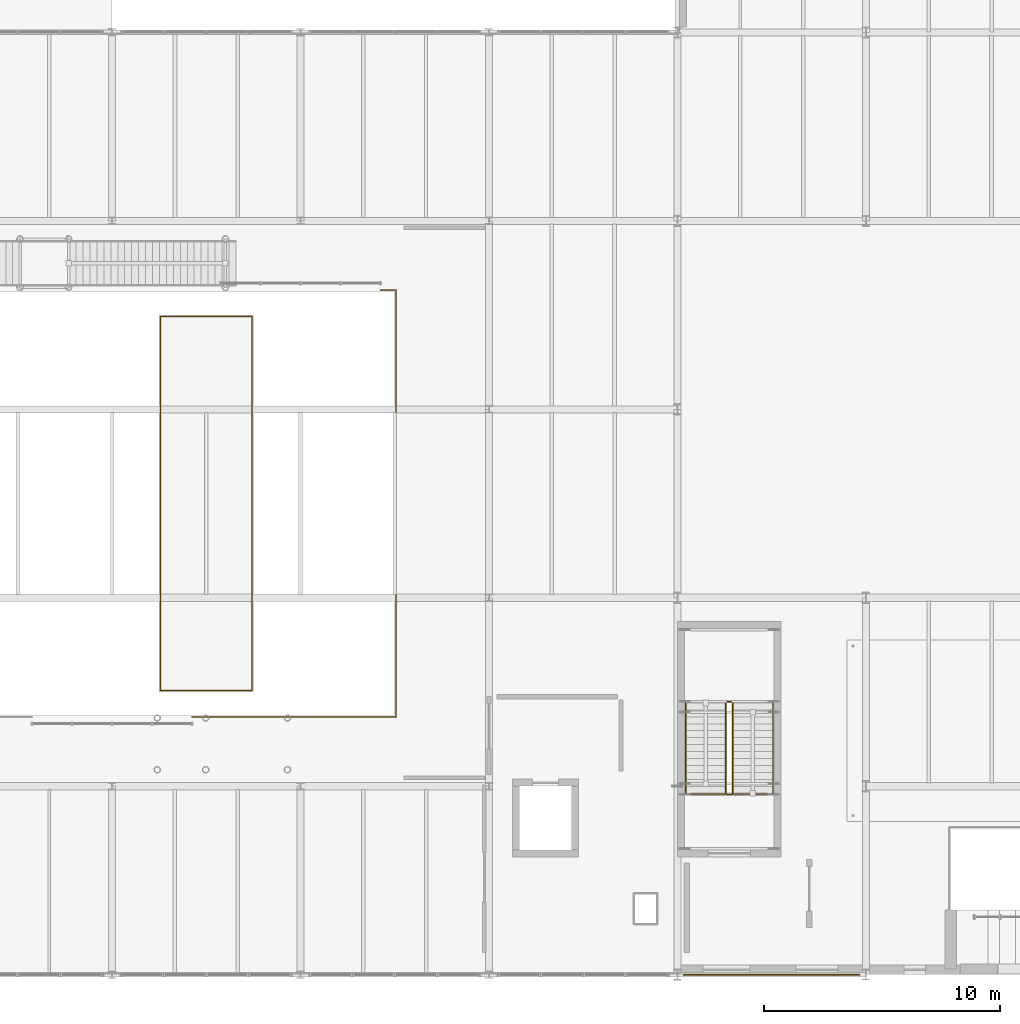
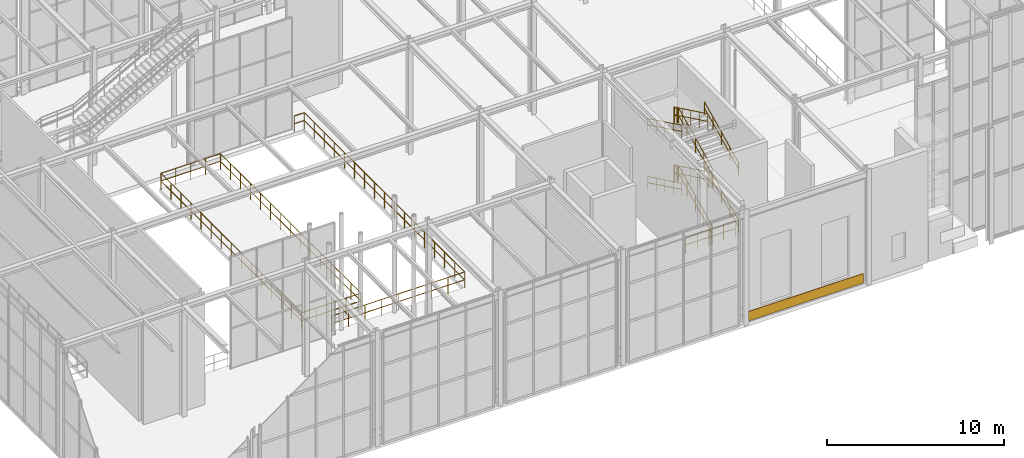
# One storey, part 128 of 138: 16 railings, 1 covering.
"""IFC4 building model written with IfcOpenShell, lengths in metres."""

from ifc_helpers import new_model, si_unit, direction, frame, origin, origin_2d, place, context, subcontext, project, spatial, rectangle, circle, extrude, material, layer, layer_set, type_object, element, save


model = new_model("IFC4")

# Units and contexts
model_context = context("Model", 3, precision=1e-05, world=origin(), true_north=direction((0.0, 1.0)))
body_context = subcontext(model_context, "Body", "Model", "MODEL_VIEW")
ifc_project = project(units=[si_unit("LENGTHUNIT", "METRE"), si_unit("AREAUNIT", "SQUARE_METRE"), si_unit("VOLUMEUNIT", "CUBIC_METRE"), si_unit("PLANEANGLEUNIT", "RADIAN"), si_unit("MASSUNIT", "GRAM", prefix="KILO")], contexts=[model_context])

# Site, building, storey
site_placement = place(None, origin())
site = spatial("IfcSite", under=ifc_project, at=site_placement, CompositionType="ELEMENT")
building_placement = place(site_placement, origin())
building = spatial("IfcBuilding", under=site, at=building_placement, Name="Sundkrona Museum", CompositionType="ELEMENT")
storey_placement = place(building_placement, frame((0.0, 0.0, 9.60009765625)))
storey = spatial("IfcBuildingStorey", under=building, at=storey_placement, Name="L02", CompositionType="ELEMENT", Elevation=9.60009765625)

# Covering
ifc_material_1 = material(Name="Frost-Resistant Vitrified Stoneware Mosaic Cladding", Category="masonry")
ifc_layer = layer(ifc_material_1, 0.044921875)
ifc_layer_set = layer_set([ifc_layer], Name="Frost-Resistant Vitrified Stoneware Mosaic Cladding")
covering_type = type_object("IfcCoveringType", Name="COV-CLD-MOS", PredefinedType="CLADDING", material=ifc_layer_set)
covering_placement = place(storey_placement, frame((124.0, 0.0, 0.094970703125), z_axis=(0.0, 0.0, 1.0), x_axis=(1.0, 0.0, 0.0)))
element("IfcCovering", 1, at=covering_placement, inside=storey, type_object=covering_type, Name="L02 Vitrified Stoneware Mosaic Spandrel 008", PredefinedType="CLADDING", context=body_context, shape_type="SweptSolid", body=[
    extrude(rectangle(XDim=7.49609375, YDim=0.044921875, at=origin_2d()), origin(), (0.0, 0.0, 1.0), 0.64990234375),
])

# Railings
ifc_material_2 = material(Name="Painted Steel S355J2 and Laminated Glass Balustrade", Category="steel")
railing_type_1 = type_object("IfcRailingType", Name="RL-GUARD-1100", PredefinedType="BALUSTRADE", material=ifc_material_2)
railing_1_placement = place(storey_placement, frame((122.35009765625, 7.699951171875, 0.142822265625)))
element("IfcRailing", 2, at=railing_1_placement, inside=storey, type_object=railing_type_1, Name="L02 ST-2 stair guard 1", PredefinedType="BALUSTRADE", context=body_context, shape_type="SweptSolid", body=[
    extrude(circle(Radius=0.02392578125, at=origin_2d()), frame((0.0, 0.0, 1.076171875), z_axis=(0.0, 0.900016444443, 0.435855939195), x_axis=(-1.0, 0.0, 0.0)), (0.0, 0.0, 1.0), 4.260986328125),
    extrude(circle(Radius=0.02392578125, at=origin_2d()), frame((0.0, 0.0, 0.550048828125), z_axis=(0.0, 0.900016444443, 0.435855939195), x_axis=(-1.0, 0.0, 0.0)), (0.0, 0.0, 1.0), 4.260986328125),
    extrude(circle(Radius=0.02099609375, at=origin_2d()), origin(), (0.0, 0.0, 1.0), 1.052001953125),
    extrude(circle(Radius=0.02099609375, at=origin_2d()), frame((0.0, 0.958740234375, 0.46435546875)), (0.0, 0.0, 1.0), 1.052001953125),
    extrude(circle(Radius=0.02099609375, at=origin_2d()), frame((0.0, 1.91748046875, 0.9287109375)), (0.0, 0.0, 1.0), 1.052001953125),
    extrude(circle(Radius=0.02099609375, at=origin_2d()), frame((0.0, 2.876220703125, 1.392822265625)), (0.0, 0.0, 1.0), 1.052001953125),
    extrude(circle(Radius=0.02099609375, at=origin_2d()), frame((0.0, 3.8349609375, 1.857177734375)), (0.0, 0.0, 1.0), 1.052001953125),
])
railing_2_placement = place(storey_placement, frame((122.300048828125, 11.5849609375, 2.0)))
element("IfcRailing", 3, at=railing_2_placement, inside=storey, type_object=railing_type_1, Name="L02 ST-2 stair guard 2", PredefinedType="BALUSTRADE", context=body_context, shape_type="SweptSolid", body=[
    extrude(circle(Radius=0.02392578125, at=origin_2d()), frame((0.0, 0.0, 1.076171875), z_axis=(-1.0, 0.0, 0.0), x_axis=(0.0, -1.0, 0.0)), (0.0, 0.0, 1.0), 0.199951171875),
    extrude(circle(Radius=0.02392578125, at=origin_2d()), frame((0.0, 0.0, 0.550048828125), z_axis=(-1.0, 0.0, 0.0), x_axis=(0.0, -1.0, 0.0)), (0.0, 0.0, 1.0), 0.199951171875),
    extrude(circle(Radius=0.02099609375, at=origin_2d()), origin(), (0.0, 0.0, 1.0), 1.052001953125),
    extrude(circle(Radius=0.02099609375, at=origin_2d()), frame((-0.199951171875, 0.0, 0.0)), (0.0, 0.0, 1.0), 1.052001953125),
])
railing_3_placement = place(storey_placement, frame((122.050048828125, 11.534912109375, 2.142822265625)))
element("IfcRailing", 4, at=railing_3_placement, inside=storey, type_object=railing_type_1, Name="L02 ST-2 stair guard 3", PredefinedType="BALUSTRADE", context=body_context, shape_type="SweptSolid", body=[
    extrude(circle(Radius=0.02392578125, at=origin_2d()), frame((0.0, 0.0, 1.076171875), z_axis=(0.0, -0.900016444443, 0.435855939195), x_axis=(1.0, 0.0, 0.0)), (0.0, 0.0, 1.0), 4.260986328125),
    extrude(circle(Radius=0.02392578125, at=origin_2d()), frame((0.0, 0.0, 0.550048828125), z_axis=(0.0, -0.900016444443, 0.435855939195), x_axis=(1.0, 0.0, 0.0)), (0.0, 0.0, 1.0), 4.260986328125),
    extrude(circle(Radius=0.02099609375, at=origin_2d()), origin(), (0.0, 0.0, 1.0), 1.052001953125),
    extrude(circle(Radius=0.02099609375, at=origin_2d()), frame((0.0, -0.958740234375, 0.46435546875)), (0.0, 0.0, 1.0), 1.052001953125),
    extrude(circle(Radius=0.02099609375, at=origin_2d()), frame((0.0, -1.91748046875, 0.9287109375)), (0.0, 0.0, 1.0), 1.052001953125),
    extrude(circle(Radius=0.02099609375, at=origin_2d()), frame((0.0, -2.876220703125, 1.392822265625)), (0.0, 0.0, 1.0), 1.052001953125),
    extrude(circle(Radius=0.02099609375, at=origin_2d()), frame((0.0, -3.8349609375, 1.857177734375)), (0.0, 0.0, 1.0), 1.052001953125),
])
railing_4_placement = place(storey_placement, frame((122.300048828125, 7.64990234375, 4.0)))
element("IfcRailing", 5, at=railing_4_placement, inside=storey, type_object=railing_type_1, Name="L02 ST-2 stair guard 4", PredefinedType="BALUSTRADE", context=body_context, shape_type="SweptSolid", body=[
    extrude(circle(Radius=0.02392578125, at=origin_2d()), frame((0.0, 0.0, 1.076171875), z_axis=(-1.0, 0.0, 0.0), x_axis=(0.0, -1.0, 0.0)), (0.0, 0.0, 1.0), 0.199951171875),
    extrude(circle(Radius=0.02392578125, at=origin_2d()), frame((0.0, 0.0, 0.550048828125), z_axis=(-1.0, 0.0, 0.0), x_axis=(0.0, -1.0, 0.0)), (0.0, 0.0, 1.0), 0.199951171875),
    extrude(circle(Radius=0.02099609375, at=origin_2d()), origin(), (0.0, 0.0, 1.0), 1.052001953125),
    extrude(circle(Radius=0.02099609375, at=origin_2d()), frame((-0.199951171875, 0.0, 0.0)), (0.0, 0.0, 1.0), 1.052001953125),
])
railing_5_placement = place(storey_placement, frame((122.35009765625, 7.699951171875, 4.142822265625)))
element("IfcRailing", 6, at=railing_5_placement, inside=storey, type_object=railing_type_1, Name="L02 ST-2 stair guard 5", PredefinedType="BALUSTRADE", context=body_context, shape_type="SweptSolid", body=[
    extrude(circle(Radius=0.02392578125, at=origin_2d()), frame((0.0, 0.0, 1.076171875), z_axis=(0.0, 0.900016444443, 0.435855939195), x_axis=(-1.0, 0.0, 0.0)), (0.0, 0.0, 1.0), 4.260986328125),
    extrude(circle(Radius=0.02392578125, at=origin_2d()), frame((0.0, 0.0, 0.550048828125), z_axis=(0.0, 0.900016444443, 0.435855939195), x_axis=(-1.0, 0.0, 0.0)), (0.0, 0.0, 1.0), 4.260986328125),
    extrude(circle(Radius=0.02099609375, at=origin_2d()), origin(), (0.0, 0.0, 1.0), 1.052001953125),
    extrude(circle(Radius=0.02099609375, at=origin_2d()), frame((0.0, 0.958740234375, 0.46435546875)), (0.0, 0.0, 1.0), 1.052001953125),
    extrude(circle(Radius=0.02099609375, at=origin_2d()), frame((0.0, 1.91748046875, 0.9287109375)), (0.0, 0.0, 1.0), 1.052001953125),
    extrude(circle(Radius=0.02099609375, at=origin_2d()), frame((0.0, 2.876220703125, 1.392822265625)), (0.0, 0.0, 1.0), 1.052001953125),
    extrude(circle(Radius=0.02099609375, at=origin_2d()), frame((0.0, 3.8349609375, 1.857177734375)), (0.0, 0.0, 1.0), 1.052001953125),
])
railing_6_placement = place(storey_placement, frame((122.300048828125, 11.5849609375, 6.0)))
element("IfcRailing", 7, at=railing_6_placement, inside=storey, type_object=railing_type_1, Name="L02 ST-2 stair guard 6", PredefinedType="BALUSTRADE", context=body_context, shape_type="SweptSolid", body=[
    extrude(circle(Radius=0.02392578125, at=origin_2d()), frame((0.0, 0.0, 1.076171875), z_axis=(-1.0, 0.0, 0.0), x_axis=(0.0, -1.0, 0.0)), (0.0, 0.0, 1.0), 0.199951171875),
    extrude(circle(Radius=0.02392578125, at=origin_2d()), frame((0.0, 0.0, 0.550048828125), z_axis=(-1.0, 0.0, 0.0), x_axis=(0.0, -1.0, 0.0)), (0.0, 0.0, 1.0), 0.199951171875),
    extrude(circle(Radius=0.02099609375, at=origin_2d()), origin(), (0.0, 0.0, 1.0), 1.052001953125),
    extrude(circle(Radius=0.02099609375, at=origin_2d()), frame((-0.199951171875, 0.0, 0.0)), (0.0, 0.0, 1.0), 1.052001953125),
])
railing_7_placement = place(storey_placement, frame((122.050048828125, 11.534912109375, 6.142822265625)))
element("IfcRailing", 8, at=railing_7_placement, inside=storey, type_object=railing_type_1, Name="L02 ST-2 stair guard 7", PredefinedType="BALUSTRADE", context=body_context, shape_type="SweptSolid", body=[
    extrude(circle(Radius=0.02392578125, at=origin_2d()), frame((0.0, 0.0, 1.076171875), z_axis=(0.0, -0.900016444443, 0.435855939195), x_axis=(1.0, 0.0, 0.0)), (0.0, 0.0, 1.0), 4.260986328125),
    extrude(circle(Radius=0.02392578125, at=origin_2d()), frame((0.0, 0.0, 0.550048828125), z_axis=(0.0, -0.900016444443, 0.435855939195), x_axis=(1.0, 0.0, 0.0)), (0.0, 0.0, 1.0), 4.260986328125),
    extrude(circle(Radius=0.02099609375, at=origin_2d()), origin(), (0.0, 0.0, 1.0), 1.052001953125),
    extrude(circle(Radius=0.02099609375, at=origin_2d()), frame((0.0, -0.958740234375, 0.46435546875)), (0.0, 0.0, 1.0), 1.052001953125),
    extrude(circle(Radius=0.02099609375, at=origin_2d()), frame((0.0, -1.91748046875, 0.9287109375)), (0.0, 0.0, 1.0), 1.052001953125),
    extrude(circle(Radius=0.02099609375, at=origin_2d()), frame((0.0, -2.876220703125, 1.392822265625)), (0.0, 0.0, 1.0), 1.052001953125),
    extrude(circle(Radius=0.02099609375, at=origin_2d()), frame((0.0, -3.8349609375, 1.857177734375)), (0.0, 0.0, 1.0), 1.052001953125),
])
railing_8_placement = place(storey_placement, frame((122.300048828125, 7.64990234375, 0.0)))
element("IfcRailing", 9, at=railing_8_placement, inside=storey, type_object=railing_type_1, Name="L02 ST-2 stair guard 8", PredefinedType="BALUSTRADE", context=body_context, shape_type="SweptSolid", body=[
    extrude(circle(Radius=0.02392578125, at=origin_2d()), frame((0.0, 0.0, 1.076171875), z_axis=(-1.0, 0.0, 0.0), x_axis=(0.0, -1.0, 0.0)), (0.0, 0.0, 1.0), 0.199951171875),
    extrude(circle(Radius=0.02392578125, at=origin_2d()), frame((0.0, 0.0, 0.550048828125), z_axis=(-1.0, 0.0, 0.0), x_axis=(0.0, -1.0, 0.0)), (0.0, 0.0, 1.0), 0.199951171875),
    extrude(circle(Radius=0.02099609375, at=origin_2d()), origin(), (0.0, 0.0, 1.0), 1.052001953125),
    extrude(circle(Radius=0.02099609375, at=origin_2d()), frame((-0.199951171875, 0.0, 0.0)), (0.0, 0.0, 1.0), 1.052001953125),
])
railing_9_placement = place(storey_placement, frame((101.93994140625, 12.06005859375, 0.0)))
element("IfcRailing", 10, at=railing_9_placement, inside=storey, type_object=railing_type_1, Name="L02 Edge Protection Balustrade 032", PredefinedType="BALUSTRADE", context=body_context, shape_type="SweptSolid", body=[
    extrude(circle(Radius=0.02392578125, at=origin_2d()), frame((0.0, 0.0, 1.09619140625), z_axis=(-1.0, 0.0, 0.0), x_axis=(0.0, -1.0, 0.0)), (0.0, 0.0, 1.0), 3.8798828125),
    extrude(circle(Radius=0.02392578125, at=origin_2d()), frame((0.0, 0.0, 0.56005859375), z_axis=(-1.0, 0.0, 0.0), x_axis=(0.0, -1.0, 0.0)), (0.0, 0.0, 1.0), 3.8798828125),
    extrude(circle(Radius=0.02392578125, at=origin_2d()), frame((-3.8798828125, 0.0, 1.09619140625), z_axis=(0.0, 1.0, 0.0), x_axis=(-1.0, 0.0, 0.0)), (0.0, 0.0, 1.0), 15.8798828125),
    extrude(circle(Radius=0.02392578125, at=origin_2d()), frame((-3.8798828125, 0.0, 0.56005859375), z_axis=(0.0, 1.0, 0.0), x_axis=(-1.0, 0.0, 0.0)), (0.0, 0.0, 1.0), 15.8798828125),
    extrude(circle(Radius=0.02392578125, at=origin_2d()), frame((-3.8798828125, 15.8798828125, 1.09619140625), z_axis=(1.0, 0.0, 0.0), x_axis=(0.0, 1.0, 0.0)), (0.0, 0.0, 1.0), 3.8798828125),
    extrude(circle(Radius=0.02392578125, at=origin_2d()), frame((-3.8798828125, 15.8798828125, 0.56005859375), z_axis=(1.0, 0.0, 0.0), x_axis=(0.0, 1.0, 0.0)), (0.0, 0.0, 1.0), 3.8798828125),
    extrude(circle(Radius=0.02392578125, at=origin_2d()), frame((0.0, 15.8798828125, 1.09619140625), z_axis=(0.0, -1.0, 0.0), x_axis=(1.0, 0.0, 0.0)), (0.0, 0.0, 1.0), 15.8798828125),
    extrude(circle(Radius=0.02392578125, at=origin_2d()), frame((0.0, 15.8798828125, 0.56005859375), z_axis=(0.0, -1.0, 0.0), x_axis=(1.0, 0.0, 0.0)), (0.0, 0.0, 1.0), 15.8798828125),
    extrude(circle(Radius=0.02099609375, at=origin_2d()), origin(), (0.0, 0.0, 1.0), 1.072021484375),
    extrude(circle(Radius=0.02099609375, at=origin_2d()), frame((-0.969970703125, 0.0, 0.0)), (0.0, 0.0, 1.0), 1.072021484375),
    extrude(circle(Radius=0.02099609375, at=origin_2d()), frame((-1.93994140625, 0.0, 0.0)), (0.0, 0.0, 1.0), 1.072021484375),
    extrude(circle(Radius=0.02099609375, at=origin_2d()), frame((-2.909912109375, 0.0, 0.0)), (0.0, 0.0, 1.0), 1.072021484375),
    extrude(circle(Radius=0.02099609375, at=origin_2d()), frame((-3.8798828125, 0.0, 0.0)), (0.0, 0.0, 1.0), 1.072021484375),
    extrude(circle(Radius=0.02099609375, at=origin_2d()), frame((-3.8798828125, 1.13427734375, 0.0)), (0.0, 0.0, 1.0), 1.072021484375),
    extrude(circle(Radius=0.02099609375, at=origin_2d()), frame((-3.8798828125, 2.2685546875, 0.0)), (0.0, 0.0, 1.0), 1.072021484375),
    extrude(circle(Radius=0.02099609375, at=origin_2d()), frame((-3.8798828125, 3.40283203125, 0.0)), (0.0, 0.0, 1.0), 1.072021484375),
    extrude(circle(Radius=0.02099609375, at=origin_2d()), frame((-3.8798828125, 4.537109375, 0.0)), (0.0, 0.0, 1.0), 1.072021484375),
    extrude(circle(Radius=0.02099609375, at=origin_2d()), frame((-3.8798828125, 5.67138671875, 0.0)), (0.0, 0.0, 1.0), 1.072021484375),
    extrude(circle(Radius=0.02099609375, at=origin_2d()), frame((-3.8798828125, 6.8056640625, 0.0)), (0.0, 0.0, 1.0), 1.072021484375),
    extrude(circle(Radius=0.02099609375, at=origin_2d()), frame((-3.8798828125, 7.93994140625, 0.0)), (0.0, 0.0, 1.0), 1.072021484375),
    extrude(circle(Radius=0.02099609375, at=origin_2d()), frame((-3.8798828125, 9.07421875, 0.0)), (0.0, 0.0, 1.0), 1.072021484375),
    extrude(circle(Radius=0.02099609375, at=origin_2d()), frame((-3.8798828125, 10.20849609375, 0.0)), (0.0, 0.0, 1.0), 1.072021484375),
    extrude(circle(Radius=0.02099609375, at=origin_2d()), frame((-3.8798828125, 11.3427734375, 0.0)), (0.0, 0.0, 1.0), 1.072021484375),
    extrude(circle(Radius=0.02099609375, at=origin_2d()), frame((-3.8798828125, 12.47705078125, 0.0)), (0.0, 0.0, 1.0), 1.072021484375),
    extrude(circle(Radius=0.02099609375, at=origin_2d()), frame((-3.8798828125, 13.611328125, 0.0)), (0.0, 0.0, 1.0), 1.072021484375),
    extrude(circle(Radius=0.02099609375, at=origin_2d()), frame((-3.8798828125, 14.74560546875, 0.0)), (0.0, 0.0, 1.0), 1.072021484375),
    extrude(circle(Radius=0.02099609375, at=origin_2d()), frame((-3.8798828125, 15.8798828125, 0.0)), (0.0, 0.0, 1.0), 1.072021484375),
    extrude(circle(Radius=0.02099609375, at=origin_2d()), frame((-2.909912109375, 15.8798828125, 0.0)), (0.0, 0.0, 1.0), 1.072021484375),
    extrude(circle(Radius=0.02099609375, at=origin_2d()), frame((-1.93994140625, 15.8798828125, 0.0)), (0.0, 0.0, 1.0), 1.072021484375),
    extrude(circle(Radius=0.02099609375, at=origin_2d()), frame((-0.969970703125, 15.8798828125, 0.0)), (0.0, 0.0, 1.0), 1.072021484375),
    extrude(circle(Radius=0.02099609375, at=origin_2d()), frame((0.0, 15.8798828125, 0.0)), (0.0, 0.0, 1.0), 1.072021484375),
    extrude(circle(Radius=0.02099609375, at=origin_2d()), frame((0.0, 14.74560546875, 0.0)), (0.0, 0.0, 1.0), 1.072021484375),
    extrude(circle(Radius=0.02099609375, at=origin_2d()), frame((0.0, 13.611328125, 0.0)), (0.0, 0.0, 1.0), 1.072021484375),
    extrude(circle(Radius=0.02099609375, at=origin_2d()), frame((0.0, 12.47705078125, 0.0)), (0.0, 0.0, 1.0), 1.072021484375),
    extrude(circle(Radius=0.02099609375, at=origin_2d()), frame((0.0, 11.3427734375, 0.0)), (0.0, 0.0, 1.0), 1.072021484375),
    extrude(circle(Radius=0.02099609375, at=origin_2d()), frame((0.0, 10.20849609375, 0.0)), (0.0, 0.0, 1.0), 1.072021484375),
    extrude(circle(Radius=0.02099609375, at=origin_2d()), frame((0.0, 9.07421875, 0.0)), (0.0, 0.0, 1.0), 1.072021484375),
    extrude(circle(Radius=0.02099609375, at=origin_2d()), frame((0.0, 7.93994140625, 0.0)), (0.0, 0.0, 1.0), 1.072021484375),
    extrude(circle(Radius=0.02099609375, at=origin_2d()), frame((0.0, 6.8056640625, 0.0)), (0.0, 0.0, 1.0), 1.072021484375),
    extrude(circle(Radius=0.02099609375, at=origin_2d()), frame((0.0, 5.67138671875, 0.0)), (0.0, 0.0, 1.0), 1.072021484375),
    extrude(circle(Radius=0.02099609375, at=origin_2d()), frame((0.0, 4.537109375, 0.0)), (0.0, 0.0, 1.0), 1.072021484375),
    extrude(circle(Radius=0.02099609375, at=origin_2d()), frame((0.0, 3.40283203125, 0.0)), (0.0, 0.0, 1.0), 1.072021484375),
    extrude(circle(Radius=0.02099609375, at=origin_2d()), frame((0.0, 2.2685546875, 0.0)), (0.0, 0.0, 1.0), 1.072021484375),
    extrude(circle(Radius=0.02099609375, at=origin_2d()), frame((0.0, 1.13427734375, 0.0)), (0.0, 0.0, 1.0), 1.072021484375),
])
railing_10_placement = place(storey_placement, frame((99.39990234375, 10.93994140625, 0.0)))
element("IfcRailing", 11, at=railing_10_placement, inside=storey, type_object=railing_type_1, Name="L02 Edge Protection Balustrade 033", PredefinedType="BALUSTRADE", context=body_context, shape_type="SweptSolid", body=[
    extrude(circle(Radius=0.02392578125, at=origin_2d()), frame((0.0, 0.0, 1.09619140625), z_axis=(1.0, 0.0, 0.0), x_axis=(0.0, 1.0, 0.0)), (0.0, 0.0, 1.0), 8.66015625),
    extrude(circle(Radius=0.02392578125, at=origin_2d()), frame((0.0, 0.0, 0.56005859375), z_axis=(1.0, 0.0, 0.0), x_axis=(0.0, 1.0, 0.0)), (0.0, 0.0, 1.0), 8.66015625),
    extrude(circle(Radius=0.02392578125, at=origin_2d()), frame((8.66015625, 0.0, 1.09619140625), z_axis=(0.0, 1.0, 0.0), x_axis=(-1.0, 0.0, 0.0)), (0.0, 0.0, 1.0), 18.1201171875),
    extrude(circle(Radius=0.02392578125, at=origin_2d()), frame((8.66015625, 0.0, 0.56005859375), z_axis=(0.0, 1.0, 0.0), x_axis=(-1.0, 0.0, 0.0)), (0.0, 0.0, 1.0), 18.1201171875),
    extrude(circle(Radius=0.02392578125, at=origin_2d()), frame((8.66015625, 18.1201171875, 1.09619140625), z_axis=(-1.0, 0.0, 0.0), x_axis=(0.0, -1.0, 0.0)), (0.0, 0.0, 1.0), 0.66015625),
    extrude(circle(Radius=0.02392578125, at=origin_2d()), frame((8.66015625, 18.1201171875, 0.56005859375), z_axis=(-1.0, 0.0, 0.0), x_axis=(0.0, -1.0, 0.0)), (0.0, 0.0, 1.0), 0.66015625),
    extrude(circle(Radius=0.02099609375, at=origin_2d()), origin(), (0.0, 0.0, 1.0), 1.072021484375),
    extrude(circle(Radius=0.02099609375, at=origin_2d()), frame((1.08251953125, 0.0, 0.0)), (0.0, 0.0, 1.0), 1.072021484375),
    extrude(circle(Radius=0.02099609375, at=origin_2d()), frame((2.1650390625, 0.0, 0.0)), (0.0, 0.0, 1.0), 1.072021484375),
    extrude(circle(Radius=0.02099609375, at=origin_2d()), frame((3.24755859375, 0.0, 0.0)), (0.0, 0.0, 1.0), 1.072021484375),
    extrude(circle(Radius=0.02099609375, at=origin_2d()), frame((4.330078125, 0.0, 0.0)), (0.0, 0.0, 1.0), 1.072021484375),
    extrude(circle(Radius=0.02099609375, at=origin_2d()), frame((5.41259765625, 0.0, 0.0)), (0.0, 0.0, 1.0), 1.072021484375),
    extrude(circle(Radius=0.02099609375, at=origin_2d()), frame((6.4951171875, 0.0, 0.0)), (0.0, 0.0, 1.0), 1.072021484375),
    extrude(circle(Radius=0.02099609375, at=origin_2d()), frame((7.57763671875, 0.0, 0.0)), (0.0, 0.0, 1.0), 1.072021484375),
    extrude(circle(Radius=0.02099609375, at=origin_2d()), frame((8.66015625, 0.0, 0.0)), (0.0, 0.0, 1.0), 1.072021484375),
    extrude(circle(Radius=0.02099609375, at=origin_2d()), frame((8.66015625, 1.132568359375, 0.0)), (0.0, 0.0, 1.0), 1.072021484375),
    extrude(circle(Radius=0.02099609375, at=origin_2d()), frame((8.66015625, 2.26513671875, 0.0)), (0.0, 0.0, 1.0), 1.072021484375),
    extrude(circle(Radius=0.02099609375, at=origin_2d()), frame((8.66015625, 3.3974609375, 0.0)), (0.0, 0.0, 1.0), 1.072021484375),
    extrude(circle(Radius=0.02099609375, at=origin_2d()), frame((8.66015625, 4.530029296875, 0.0)), (0.0, 0.0, 1.0), 1.072021484375),
    extrude(circle(Radius=0.02099609375, at=origin_2d()), frame((8.66015625, 5.66259765625, 0.0)), (0.0, 0.0, 1.0), 1.072021484375),
    extrude(circle(Radius=0.02099609375, at=origin_2d()), frame((8.66015625, 6.794921875, 0.0)), (0.0, 0.0, 1.0), 1.072021484375),
    extrude(circle(Radius=0.02099609375, at=origin_2d()), frame((8.66015625, 7.927490234375, 0.0)), (0.0, 0.0, 1.0), 1.072021484375),
    extrude(circle(Radius=0.02099609375, at=origin_2d()), frame((8.66015625, 9.06005859375, 0.0)), (0.0, 0.0, 1.0), 1.072021484375),
    extrude(circle(Radius=0.02099609375, at=origin_2d()), frame((8.66015625, 10.192626953125, 0.0)), (0.0, 0.0, 1.0), 1.072021484375),
    extrude(circle(Radius=0.02099609375, at=origin_2d()), frame((8.66015625, 11.3251953125, 0.0)), (0.0, 0.0, 1.0), 1.072021484375),
    extrude(circle(Radius=0.02099609375, at=origin_2d()), frame((8.66015625, 12.45751953125, 0.0)), (0.0, 0.0, 1.0), 1.072021484375),
    extrude(circle(Radius=0.02099609375, at=origin_2d()), frame((8.66015625, 13.590087890625, 0.0)), (0.0, 0.0, 1.0), 1.072021484375),
    extrude(circle(Radius=0.02099609375, at=origin_2d()), frame((8.66015625, 14.72265625, 0.0)), (0.0, 0.0, 1.0), 1.072021484375),
    extrude(circle(Radius=0.02099609375, at=origin_2d()), frame((8.66015625, 15.85498046875, 0.0)), (0.0, 0.0, 1.0), 1.072021484375),
    extrude(circle(Radius=0.02099609375, at=origin_2d()), frame((8.66015625, 16.987548828125, 0.0)), (0.0, 0.0, 1.0), 1.072021484375),
    extrude(circle(Radius=0.02099609375, at=origin_2d()), frame((8.66015625, 18.1201171875, 0.0)), (0.0, 0.0, 1.0), 1.072021484375),
    extrude(circle(Radius=0.02099609375, at=origin_2d()), frame((8.0, 18.1201171875, 0.0)), (0.0, 0.0, 1.0), 1.072021484375),
])
for number, where, name in (
    (12, (120.580078125, 7.6650390625, 0.0), "L02 Edge Protection Balustrade 042"),
    (13, (122.300048828125, 7.6650390625, 0.0), "L02 Edge Protection Balustrade 043"),
):
    element("IfcRailing", number, at=place(storey_placement, frame(where)), inside=storey, type_object=railing_type_1, Name=name, PredefinedType="BALUSTRADE", context=body_context, shape_type="SweptSolid", body=[
        extrude(circle(Radius=0.02392578125, at=origin_2d()), frame((0.0, 0.0, 1.09619140625), z_axis=(1.0, 0.0, 0.0), x_axis=(0.0, 1.0, 0.0)), (0.0, 0.0, 1.0), 1.52001953125),
        extrude(circle(Radius=0.02392578125, at=origin_2d()), frame((0.0, 0.0, 0.56005859375), z_axis=(1.0, 0.0, 0.0), x_axis=(0.0, 1.0, 0.0)), (0.0, 0.0, 1.0), 1.52001953125),
        extrude(circle(Radius=0.02099609375, at=origin_2d()), origin(), (0.0, 0.0, 1.0), 1.072021484375),
        extrude(circle(Radius=0.02099609375, at=origin_2d()), frame((0.760009765625, 0.0, 0.0)), (0.0, 0.0, 1.0), 1.072021484375),
        extrude(circle(Radius=0.02099609375, at=origin_2d()), frame((1.52001953125, 0.0, 0.0)), (0.0, 0.0, 1.0), 1.072021484375),
    ])
ifc_material_3 = material(Name="Brushed Bronze-Clad Steel Handrail", Category="steel")
railing_type_2 = type_object("IfcRailingType", Name="RL-HAND-900", PredefinedType="HANDRAIL", material=ifc_material_3)
railing_11_placement = place(storey_placement, frame((124.050048828125, 7.699951171875, 0.142822265625)))
element("IfcRailing", 14, at=railing_11_placement, inside=storey, type_object=railing_type_2, Name="L02 ST-2 stair handrail 1", PredefinedType="HANDRAIL", context=body_context, shape_type="SweptSolid", body=[
    extrude(circle(Radius=0.02392578125, at=origin_2d()), frame((0.0, 0.0, 0.8759765625), z_axis=(0.0, 0.900016444443, 0.435855939195), x_axis=(-1.0, 0.0, 0.0)), (0.0, 0.0, 1.0), 4.260986328125),
    extrude(circle(Radius=0.02392578125, at=origin_2d()), frame((0.0, 0.0, 0.449951171875), z_axis=(0.0, 0.900016444443, 0.435855939195), x_axis=(-1.0, 0.0, 0.0)), (0.0, 0.0, 1.0), 4.260986328125),
    extrude(circle(Radius=0.02099609375, at=origin_2d()), origin(), (0.0, 0.0, 1.0), 0.851806640625),
    extrude(circle(Radius=0.02099609375, at=origin_2d()), frame((0.0, 0.958740234375, 0.46435546875)), (0.0, 0.0, 1.0), 0.851806640625),
    extrude(circle(Radius=0.02099609375, at=origin_2d()), frame((0.0, 1.91748046875, 0.9287109375)), (0.0, 0.0, 1.0), 0.851806640625),
    extrude(circle(Radius=0.02099609375, at=origin_2d()), frame((0.0, 2.876220703125, 1.392822265625)), (0.0, 0.0, 1.0), 0.851806640625),
    extrude(circle(Radius=0.02099609375, at=origin_2d()), frame((0.0, 3.8349609375, 1.857177734375)), (0.0, 0.0, 1.0), 0.851806640625),
])
railing_12_placement = place(storey_placement, frame((120.35009765625, 11.534912109375, 2.142822265625)))
element("IfcRailing", 15, at=railing_12_placement, inside=storey, type_object=railing_type_2, Name="L02 ST-2 stair handrail 2", PredefinedType="HANDRAIL", context=body_context, shape_type="SweptSolid", body=[
    extrude(circle(Radius=0.02392578125, at=origin_2d()), frame((0.0, 0.0, 0.8759765625), z_axis=(0.0, -0.900016444443, 0.435855939195), x_axis=(1.0, 0.0, 0.0)), (0.0, 0.0, 1.0), 4.260986328125),
    extrude(circle(Radius=0.02392578125, at=origin_2d()), frame((0.0, 0.0, 0.449951171875), z_axis=(0.0, -0.900016444443, 0.435855939195), x_axis=(1.0, 0.0, 0.0)), (0.0, 0.0, 1.0), 4.260986328125),
    extrude(circle(Radius=0.02099609375, at=origin_2d()), origin(), (0.0, 0.0, 1.0), 0.851806640625),
    extrude(circle(Radius=0.02099609375, at=origin_2d()), frame((0.0, -0.958740234375, 0.46435546875)), (0.0, 0.0, 1.0), 0.851806640625),
    extrude(circle(Radius=0.02099609375, at=origin_2d()), frame((0.0, -1.91748046875, 0.9287109375)), (0.0, 0.0, 1.0), 0.851806640625),
    extrude(circle(Radius=0.02099609375, at=origin_2d()), frame((0.0, -2.876220703125, 1.392822265625)), (0.0, 0.0, 1.0), 0.851806640625),
    extrude(circle(Radius=0.02099609375, at=origin_2d()), frame((0.0, -3.8349609375, 1.857177734375)), (0.0, 0.0, 1.0), 0.851806640625),
])
railing_13_placement = place(storey_placement, frame((124.050048828125, 7.699951171875, 4.142822265625)))
element("IfcRailing", 16, at=railing_13_placement, inside=storey, type_object=railing_type_2, Name="L02 ST-2 stair handrail 3", PredefinedType="HANDRAIL", context=body_context, shape_type="SweptSolid", body=[
    extrude(circle(Radius=0.02392578125, at=origin_2d()), frame((0.0, 0.0, 0.8759765625), z_axis=(0.0, 0.900016444443, 0.435855939195), x_axis=(-1.0, 0.0, 0.0)), (0.0, 0.0, 1.0), 4.260986328125),
    extrude(circle(Radius=0.02392578125, at=origin_2d()), frame((0.0, 0.0, 0.449951171875), z_axis=(0.0, 0.900016444443, 0.435855939195), x_axis=(-1.0, 0.0, 0.0)), (0.0, 0.0, 1.0), 4.260986328125),
    extrude(circle(Radius=0.02099609375, at=origin_2d()), origin(), (0.0, 0.0, 1.0), 0.851806640625),
    extrude(circle(Radius=0.02099609375, at=origin_2d()), frame((0.0, 0.958740234375, 0.46435546875)), (0.0, 0.0, 1.0), 0.851806640625),
    extrude(circle(Radius=0.02099609375, at=origin_2d()), frame((0.0, 1.91748046875, 0.9287109375)), (0.0, 0.0, 1.0), 0.851806640625),
    extrude(circle(Radius=0.02099609375, at=origin_2d()), frame((0.0, 2.876220703125, 1.392822265625)), (0.0, 0.0, 1.0), 0.851806640625),
    extrude(circle(Radius=0.02099609375, at=origin_2d()), frame((0.0, 3.8349609375, 1.857177734375)), (0.0, 0.0, 1.0), 0.851806640625),
])
railing_14_placement = place(storey_placement, frame((120.35009765625, 11.534912109375, 6.142822265625)))
element("IfcRailing", 17, at=railing_14_placement, inside=storey, type_object=railing_type_2, Name="L02 ST-2 stair handrail 4", PredefinedType="HANDRAIL", context=body_context, shape_type="SweptSolid", body=[
    extrude(circle(Radius=0.02392578125, at=origin_2d()), frame((0.0, 0.0, 0.8759765625), z_axis=(0.0, -0.900016444443, 0.435855939195), x_axis=(1.0, 0.0, 0.0)), (0.0, 0.0, 1.0), 4.260986328125),
    extrude(circle(Radius=0.02392578125, at=origin_2d()), frame((0.0, 0.0, 0.449951171875), z_axis=(0.0, -0.900016444443, 0.435855939195), x_axis=(1.0, 0.0, 0.0)), (0.0, 0.0, 1.0), 4.260986328125),
    extrude(circle(Radius=0.02099609375, at=origin_2d()), origin(), (0.0, 0.0, 1.0), 0.851806640625),
    extrude(circle(Radius=0.02099609375, at=origin_2d()), frame((0.0, -0.958740234375, 0.46435546875)), (0.0, 0.0, 1.0), 0.851806640625),
    extrude(circle(Radius=0.02099609375, at=origin_2d()), frame((0.0, -1.91748046875, 0.9287109375)), (0.0, 0.0, 1.0), 0.851806640625),
    extrude(circle(Radius=0.02099609375, at=origin_2d()), frame((0.0, -2.876220703125, 1.392822265625)), (0.0, 0.0, 1.0), 0.851806640625),
    extrude(circle(Radius=0.02099609375, at=origin_2d()), frame((0.0, -3.8349609375, 1.857177734375)), (0.0, 0.0, 1.0), 0.851806640625),
])

save(model, "model.ifc")
